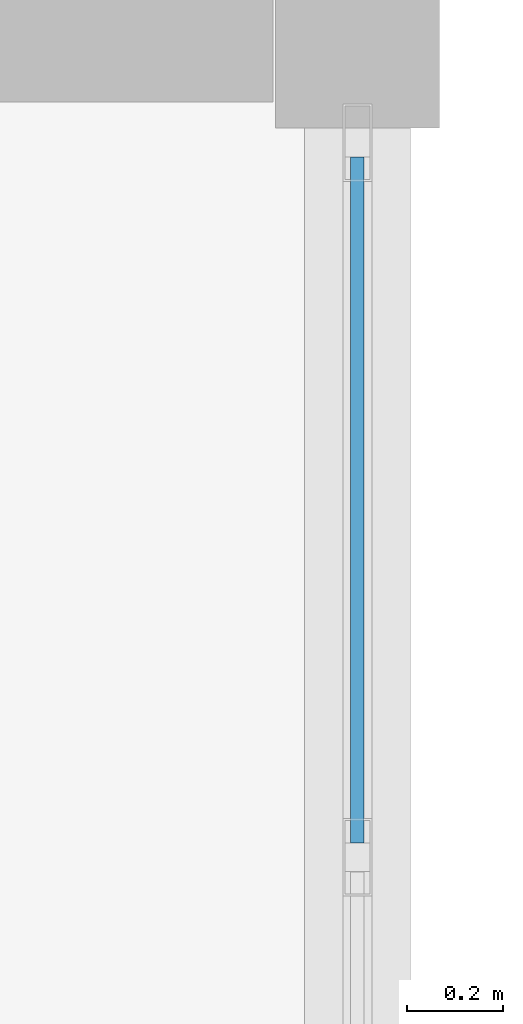
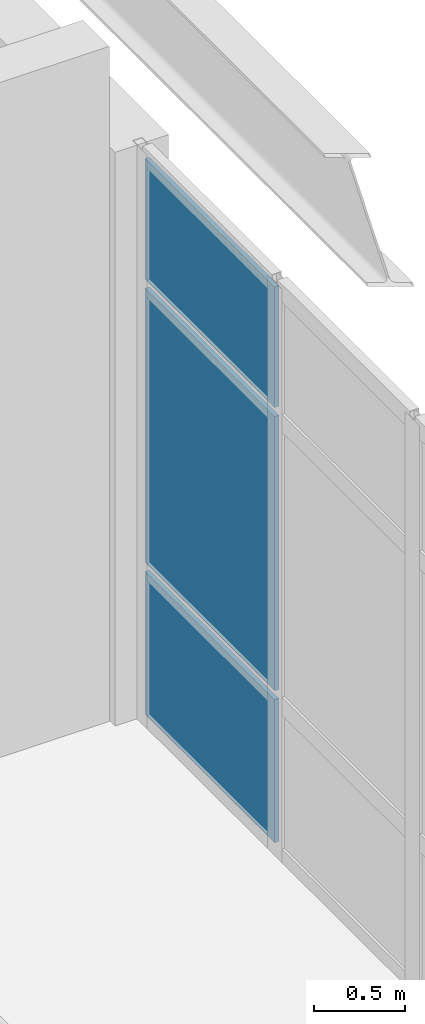
# One storey, part 22 of 38: 3 plates, 1 element without a shape of its own.
"""IFC4 building model written with IfcOpenShell, lengths in metres."""

from ifc_helpers import new_model, si_unit, direction, frame, origin, origin_2d, place, context, subcontext, project, spatial, rectangle, extrude, material, layer, layer_set, type_object, element, aggregate, save


model = new_model("IFC4")

# Units and contexts
model_context = context("Model", 3, precision=1e-05, world=origin(), true_north=direction((0.0, 1.0)))
body_context = subcontext(model_context, "Body", "Model", "MODEL_VIEW")
ifc_project = project(units=[si_unit("LENGTHUNIT", "METRE"), si_unit("AREAUNIT", "SQUARE_METRE"), si_unit("VOLUMEUNIT", "CUBIC_METRE"), si_unit("PLANEANGLEUNIT", "RADIAN"), si_unit("MASSUNIT", "GRAM", prefix="KILO")], contexts=[model_context])

# Site, building, storey
site_placement = place(None, origin())
site = spatial("IfcSite", under=ifc_project, at=site_placement, CompositionType="ELEMENT")
building_placement = place(site_placement, origin())
building = spatial("IfcBuilding", under=site, at=building_placement, Name="Muzn Square Opera House", CompositionType="ELEMENT")
storey_placement = place(building_placement, frame((0.0, 0.0, 18.0)))
storey = spatial("IfcBuildingStorey", under=building, at=storey_placement, Name="L04", CompositionType="ELEMENT", Elevation=18.0)

# Curtain wall, plates
ifc_material = material(Name="Low-E laminated acoustic double glazing", Category="glass")
ifc_layer_1 = layer(ifc_material, 0.159912109375, Name="Low-E laminated acoustic double glazing", Category="glass")
ifc_layer_set_1 = layer_set([ifc_layer_1], Name="Low-E laminated acoustic double glazing")
curtain_wall_type = type_object("IfcCurtainWallType", Name="Glazed Curtain Wall RehearsalEast 12100x3850", PredefinedType="USERDEFINED", material=ifc_layer_set_1)
curtain_wall_placement = place(storey_placement, origin())
curtain_wall = element("IfcCurtainWall", 1, at=curtain_wall_placement, inside=storey, type_object=curtain_wall_type, Name="Glazed Curtain Wall CW-L04-133", ObjectType="GLAZED CURTAIN WALL", PredefinedType="USERDEFINED")
ifc_layer_2 = layer(ifc_material, 0.028076171875, Name="Low-E laminated acoustic double glazing", Category="glass")
ifc_layer_set_2 = layer_set([ifc_layer_2], Name="Low-E laminated acoustic double glazing")
plate_type = type_object("IfcPlateType", Name="Curtain Wall Acoustic Glazed Panel 28mm", PredefinedType="CURTAIN_PANEL", material=ifc_layer_set_2)
plate_1_placement = place(storey_placement, frame((170.0, 110.228759765625, 0.06005859375), z_axis=(0.0, 0.0, 1.0), x_axis=(0.0, 1.0, 0.0)))
plate_1 = element("IfcPlate", 2, at=plate_1_placement, type_object=plate_type, Name="CW-RHE-121x38 panel 8.1", PredefinedType="CURTAIN_PANEL", context=body_context, shape_type="SweptSolid", body=[
    extrude(rectangle(XDim=1.422607421875, YDim=0.028076171875, at=origin_2d()), origin(), (0.0, 0.0, 1.0), 0.9599609375),
])
plate_2_placement = place(storey_placement, frame((170.0, 110.228759765625, 1.080078125), z_axis=(0.0, 0.0, 1.0), x_axis=(0.0, 1.0, 0.0)))
plate_2 = element("IfcPlate", 3, at=plate_2_placement, type_object=plate_type, Name="CW-RHE-121x38 panel 8.2", PredefinedType="CURTAIN_PANEL", context=body_context, shape_type="SweptSolid", body=[
    extrude(rectangle(XDim=1.422607421875, YDim=0.028076171875, at=origin_2d()), origin(), (0.0, 0.0, 1.0), 1.840087890625),
])
plate_3_placement = place(storey_placement, frame((170.0, 110.228759765625, 2.97998046875), z_axis=(0.0, 0.0, 1.0), x_axis=(0.0, 1.0, 0.0)))
plate_3 = element("IfcPlate", 4, at=plate_3_placement, type_object=plate_type, Name="CW-RHE-121x38 panel 8.3", PredefinedType="CURTAIN_PANEL", context=body_context, shape_type="SweptSolid", body=[
    extrude(rectangle(XDim=1.422607421875, YDim=0.028076171875, at=origin_2d()), origin(), (0.0, 0.0, 1.0), 0.81005859375),
])
aggregate(curtain_wall, [plate_1, plate_2, plate_3])

save(model, "model.ifc")
